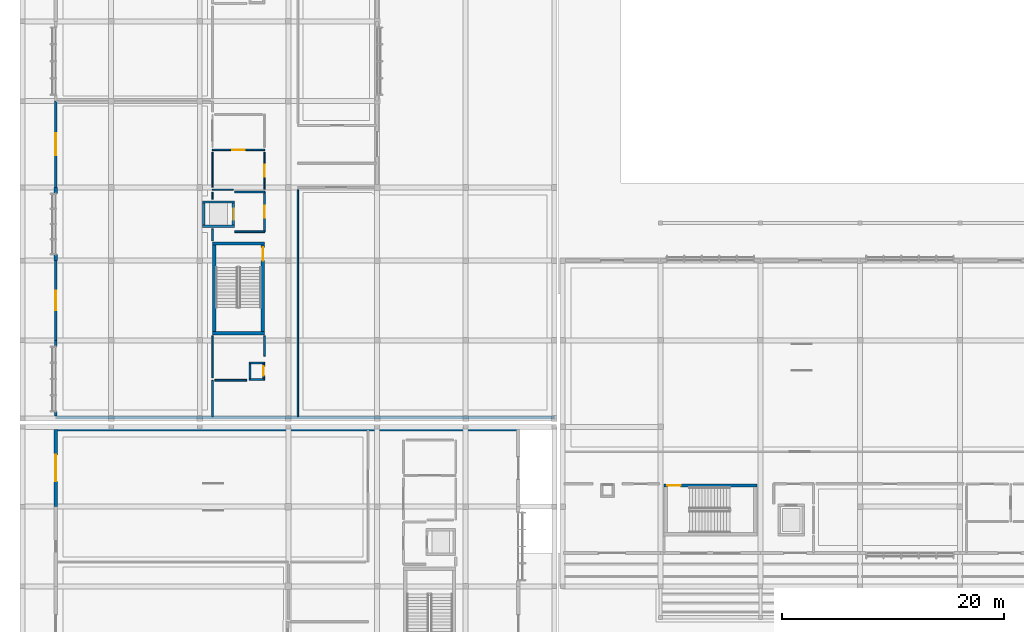
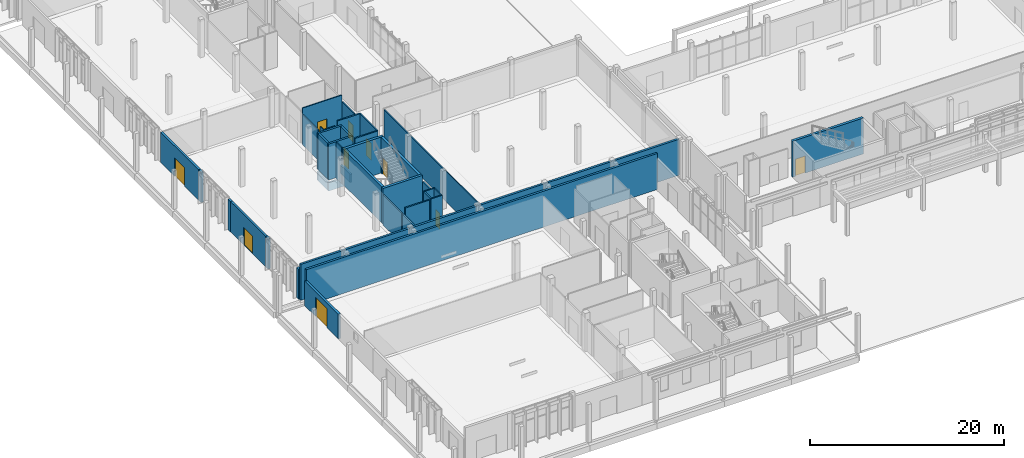
# One storey, part 117 of 151: 40 walls, 10 doors, 10 openings.
"""IFC4 building model written with IfcOpenShell, lengths in metres."""

from ifc_helpers import new_model, si_unit, direction, frame, frame_2d, origin, place, context, subcontext, project, spatial, rectangle, extrude, material, layer, layer_set, type_object, element, fill, save


model = new_model("IFC4")

# Units and contexts
model_context = context("Model", 3, precision=1e-05, world=origin(), true_north=direction((0.0, 1.0)))
body_context = subcontext(model_context, "Body", "Model", "MODEL_VIEW")
ifc_project = project(units=[si_unit("LENGTHUNIT", "METRE"), si_unit("AREAUNIT", "SQUARE_METRE"), si_unit("VOLUMEUNIT", "CUBIC_METRE"), si_unit("PLANEANGLEUNIT", "RADIAN"), si_unit("MASSUNIT", "GRAM", prefix="KILO")], contexts=[model_context])

# Site, building, storey
site_placement = place(None, origin())
site = spatial("IfcSite", under=ifc_project, at=site_placement, CompositionType="ELEMENT")
building_placement = place(site_placement, origin())
building = spatial("IfcBuilding", under=site, at=building_placement, Name="Chiffa Square Polytechnic", CompositionType="ELEMENT")
storey_placement = place(building_placement, origin())
storey = spatial("IfcBuildingStorey", under=building, at=storey_placement, Name="L00", CompositionType="ELEMENT", Elevation=0.0)

# Wall, opening, door
ifc_material_1 = material(Name="Concrete C40/50", Category="concrete")
ifc_layer_1 = layer(ifc_material_1, 0.300048828125, Name="Concrete C40/50")
ifc_layer_set_1 = layer_set([ifc_layer_1], Name="Concrete C40/50")
wall_type_1 = type_object("IfcWallType", Name="WL-CORE-300", PredefinedType="SHEAR", material=ifc_layer_set_1)
wall_1_placement = place(storey_placement, frame((57.89990234375, 30.699951171875, 0.0), z_axis=(0.0, 0.0, 1.0), x_axis=(1.0, 0.0, 0.0)))
wall_1 = element("IfcWall", 1, at=wall_1_placement, inside=storey, type_object=wall_type_1, Name="Core or enclosure wall WC-CORE-V4A-L00-NORTH", PredefinedType="SHEAR", context=body_context, shape_type="SweptSolid", body=[
    extrude(rectangle(XDim=8.400146484375, YDim=0.300048828125, at=frame_2d((4.2001953125, 0.0))), origin(), (0.0, 0.0, 1.0), 4.52001953125),
])
opening_1_placement = place(wall_1_placement, frame((0.300048828125, 0.0, 0.0)))
opening_1 = element("IfcOpeningElement", 2, at=opening_1_placement, cuts=wall_1, Name="Opening DS-L00-027", PredefinedType="OPENING", context=body_context, shape_type="SweptSolid", body=[
    extrude(rectangle(XDim=1.199951171875, YDim=2.14990234375, at=frame_2d((0.60009765625, 1.074951171875))), frame((0.0, 0.16015625, 0.0), z_axis=(0.0, -1.0, 0.0), x_axis=(1.0, 0.0, 0.0)), (0.0, 0.0, 1.0), 0.320068359375),
])
ifc_material_2 = material(Name="Fire-rated painted steel leaf", Category="steel")
door_type_1 = type_object("IfcDoorType", Name="DR-STAIR-1200", OperationType="NOTDEFINED", PredefinedType="DOOR", material=ifc_material_2)
door_1_placement = place(opening_1_placement, origin())
door_1 = element("IfcDoor", 3, at=door_1_placement, inside=storey, type_object=door_type_1, Name="Enclosure door DS-L00-027", OperationType="SINGLE_SWING_LEFT", OverallHeight=2.14990234375, OverallWidth=1.199951171875, PredefinedType="DOOR", context=body_context, shape_type="SweptSolid", body=[
    extrude(rectangle(XDim=1.199951171875, YDim=2.14990234375, at=frame_2d((0.60009765625, 1.074951171875))), frame((0.0, 0.02490234375, 0.0), z_axis=(0.0, -1.0, 0.0), x_axis=(1.0, 0.0, 0.0)), (0.0, 0.0, 1.0), 0.050048828125),
])
fill(opening_1, door_1)

# Walls
for number, where, z_axis, x_axis, name in (
    (4, (17.14990234375, 44.449951171875, 0.0), (0.0, 0.0, 1.0), (1.0, 0.0, 0.0), "Core or enclosure wall WC-CORE-V6A-L00-SOUTH"),
    (5, (17.14990234375, 52.550048828125, 0.0), (0.0, 0.0, 1.0), (1.0, 0.0, 0.0), "Core or enclosure wall WC-CORE-V6A-L00-NORTH"),
):
    element("IfcWall", number, at=place(storey_placement, frame(where, z_axis=z_axis, x_axis=x_axis)), inside=storey, type_object=wall_type_1, Name=name, PredefinedType="SHEAR", context=body_context, shape_type="SweptSolid", body=[
        extrude(rectangle(XDim=4.7001953125, YDim=0.300048828125, at=frame_2d((2.35009765625, 0.0))), origin(), (0.0, 0.0, 1.0), 4.52001953125),
    ])
wall_2_placement = place(storey_placement, frame((17.300048828125, 44.60009765625, 0.0), z_axis=(0.0, 0.0, 1.0), x_axis=(0.0, 1.0, 0.0)))
element("IfcWall", 6, at=wall_2_placement, inside=storey, type_object=wall_type_1, Name="Core or enclosure wall WC-CORE-V6A-L00-WEST", PredefinedType="SHEAR", context=body_context, shape_type="SweptSolid", body=[
    extrude(rectangle(XDim=7.7998046875, YDim=0.300048828125, at=frame_2d((3.89990234375, 0.0))), origin(), (0.0, 0.0, 1.0), 4.52001953125),
])

# Wall, opening, door
wall_3_placement = place(storey_placement, frame((21.699951171875, 44.60009765625, 0.0), z_axis=(0.0, 0.0, 1.0), x_axis=(0.0, 1.0, 0.0)))
wall_3 = element("IfcWall", 7, at=wall_3_placement, inside=storey, type_object=wall_type_1, Name="Core or enclosure wall WC-CORE-V6A-L00-EAST", PredefinedType="SHEAR", context=body_context, shape_type="SweptSolid", body=[
    extrude(rectangle(XDim=7.7998046875, YDim=0.300048828125, at=frame_2d((3.89990234375, 0.0))), origin(), (0.0, 0.0, 1.0), 4.52001953125),
])
opening_2_placement = place(wall_3_placement, frame((6.39990234375, 0.0, 0.0)))
opening_2 = element("IfcOpeningElement", 8, at=opening_2_placement, cuts=wall_3, Name="Opening DS-L00-047", PredefinedType="OPENING", context=body_context, shape_type="SweptSolid", body=[
    extrude(rectangle(XDim=1.199951171875, YDim=2.14990234375, at=frame_2d((0.60009765625, 1.074951171875))), frame((0.0, 0.16015625, 0.0), z_axis=(0.0, -1.0, 0.0), x_axis=(1.0, 0.0, 0.0)), (0.0, 0.0, 1.0), 0.320068359375),
])
door_2_placement = place(opening_2_placement, origin())
door_2 = element("IfcDoor", 9, at=door_2_placement, inside=storey, type_object=door_type_1, Name="Enclosure door DS-L00-047", OperationType="SINGLE_SWING_LEFT", OverallHeight=2.14990234375, OverallWidth=1.199951171875, PredefinedType="DOOR", context=body_context, shape_type="SweptSolid", body=[
    extrude(rectangle(XDim=1.199951171875, YDim=2.14990234375, at=frame_2d((0.60009765625, 1.074951171875))), frame((0.0, 0.02490234375, 0.0), z_axis=(0.0, -1.0, 0.0), x_axis=(1.0, 0.0, 0.0)), (0.0, 0.0, 1.0), 0.050048828125),
])
fill(opening_2, door_2)

ifc_material_3 = material(Name="Precast concrete C40/50", Category="concrete")
ifc_layer_2 = layer(ifc_material_3, 0.239990234375, Name="Precast concrete C40/50")
ifc_layer_set_2 = layer_set([ifc_layer_2], Name="Precast concrete C40/50")
wall_type_2 = type_object("IfcWallType", Name="WL-EXT-PC240", PredefinedType="SOLIDWALL", material=ifc_layer_set_2)
wall_4_placement = place(storey_placement, frame((3.0, 51.0, 0.0), z_axis=(0.0, 0.0, 1.0), x_axis=(0.0, -1.0, 0.0)))
wall_4 = element("IfcWall", 10, at=wall_4_placement, inside=storey, type_object=wall_type_2, Name="Exterior wall WE-V6-L00-0407", PredefinedType="SOLIDWALL", context=body_context, shape_type="SweptSolid", body=[
    extrude(rectangle(XDim=7.199951171875, YDim=0.239990234375, at=frame_2d((3.60009765625, 0.0))), origin(), (0.0, 0.0, 1.0), 3.804931640625),
])
opening_3_placement = place(wall_4_placement, frame((2.699951171875, 0.0, 0.0)))
opening_3 = element("IfcOpeningElement", 11, at=opening_3_placement, cuts=wall_4, Name="Opening DE-L00-073", PredefinedType="OPENING", context=body_context, shape_type="SweptSolid", body=[
    extrude(rectangle(XDim=1.800048828125, YDim=2.199951171875, at=frame_2d((0.89990234375, 1.10009765625))), frame((0.0, 0.1298828125, 0.0), z_axis=(0.0, -1.0, 0.0), x_axis=(1.0, 0.0, 0.0)), (0.0, 0.0, 1.0), 0.260009765625),
])
ifc_material_4 = material(Name="Painted galvanized steel", Category="steel")
door_type_2 = type_object("IfcDoorType", Name="DR-EXIT-DBL-1800", OperationType="DOUBLE_DOOR_SINGLE_SWING", PredefinedType="DOOR", material=ifc_material_4)
door_3_placement = place(opening_3_placement, origin())
door_3 = element("IfcDoor", 12, at=door_3_placement, inside=storey, type_object=door_type_2, Name="Exterior door DE-L00-073", OperationType="DOUBLE_DOOR_SINGLE_SWING", OverallHeight=2.199951171875, OverallWidth=1.800048828125, PredefinedType="DOOR", context=body_context, shape_type="SweptSolid", body=[
    extrude(rectangle(XDim=1.800048828125, YDim=2.199951171875, at=frame_2d((0.89990234375, 1.10009765625))), frame((0.0, 0.02490234375, 0.0), z_axis=(0.0, -1.0, 0.0), x_axis=(1.0, 0.0, 0.0)), (0.0, 0.0, 1.0), 0.050048828125),
])
fill(opening_3, door_3)

ifc_layer_3 = layer(ifc_material_3, 0.260009765625, Name="Precast concrete C40/50")
ifc_layer_set_3 = layer_set([ifc_layer_3], Name="Precast concrete C40/50")
wall_type_3 = type_object("IfcWallType", Name="WL-EXT-PC260", PredefinedType="SOLIDWALL", material=ifc_layer_set_3)
wall_5_placement = place(storey_placement, frame((3.0, 65.39990234375, 0.0), z_axis=(0.0, 0.0, 1.0), x_axis=(0.0, -1.0, 0.0)))
wall_5 = element("IfcWall", 13, at=wall_5_placement, inside=storey, type_object=wall_type_3, Name="Exterior wall WE-V6-L00-0405", PredefinedType="SOLIDWALL", context=body_context, shape_type="SweptSolid", body=[
    extrude(rectangle(XDim=7.7998046875, YDim=0.260009765625, at=frame_2d((3.89990234375, 0.0))), origin(), (0.0, 0.0, 1.0), 3.804931640625),
])
opening_4_placement = place(wall_5_placement, frame((2.89990234375, 0.0, 0.0)))
opening_4 = element("IfcOpeningElement", 14, at=opening_4_placement, cuts=wall_5, Name="Opening DE-L00-072", PredefinedType="OPENING", context=body_context, shape_type="SweptSolid", body=[
    extrude(rectangle(XDim=2.0, YDim=2.300048828125, at=frame_2d((1.0, 1.14990234375))), frame((0.0, 0.14013671875, 0.0), z_axis=(0.0, -1.0, 0.0), x_axis=(1.0, 0.0, 0.0)), (0.0, 0.0, 1.0), 0.280029296875),
])
ifc_material_5 = material(Name="Aluminium and laminated safety glass", Category="aluminium")
door_type_3 = type_object("IfcDoorType", Name="DR-EXIT-DBL-2000", OperationType="DOUBLE_DOOR_SINGLE_SWING", PredefinedType="DOOR", material=ifc_material_5)
door_4_placement = place(opening_4_placement, origin())
door_4 = element("IfcDoor", 15, at=door_4_placement, inside=storey, type_object=door_type_3, Name="Exterior door DE-L00-072", OperationType="DOUBLE_DOOR_SINGLE_SWING", OverallHeight=2.300048828125, OverallWidth=2.0, PredefinedType="DOOR", context=body_context, shape_type="SweptSolid", body=[
    extrude(rectangle(XDim=2.0, YDim=2.300048828125, at=frame_2d((1.0, 1.14990234375))), frame((0.0, 0.02490234375, 0.0), z_axis=(0.0, -1.0, 0.0), x_axis=(1.0, 0.0, 0.0)), (0.0, 0.0, 1.0), 0.050048828125),
])
fill(opening_4, door_4)

# Walls
wall_6_placement = place(storey_placement, frame((3.0, 43.800048828125, 0.0), z_axis=(0.0, 0.0, 1.0), x_axis=(0.0, -1.0, 0.0)))
element("IfcWall", 16, at=wall_6_placement, inside=storey, type_object=wall_type_3, Name="Facade column pier V6-L00-0408L", PredefinedType="SOLIDWALL", context=body_context, shape_type="SweptSolid", body=[
    extrude(rectangle(XDim=0.5400390625, YDim=0.260009765625, at=frame_2d((0.27001953125, 0.0))), origin(), (0.0, 0.0, 1.0), 3.804931640625),
])
wall_7_placement = place(storey_placement, frame((3.0, 37.389892578125, 0.0), z_axis=(0.0, 0.0, 1.0), x_axis=(0.0, -1.0, 0.0)))
element("IfcWall", 17, at=wall_7_placement, inside=storey, type_object=wall_type_3, Name="Facade column pier V6-L00-0408R", PredefinedType="SOLIDWALL", context=body_context, shape_type="SweptSolid", body=[
    extrude(rectangle(XDim=0.412841796875, YDim=0.260009765625, at=frame_2d((0.20654296875, 0.0))), origin(), (0.0, 0.0, 1.0), 3.804931640625),
])

# Wall, opening, door
ifc_layer_4 = layer(ifc_material_3, 0.280029296875, Name="Precast concrete C40/50")
ifc_layer_set_4 = layer_set([ifc_layer_4], Name="Precast concrete C40/50")
wall_type_4 = type_object("IfcWallType", Name="WL-EXT-PC280", PredefinedType="SOLIDWALL", material=ifc_layer_set_4)
wall_8_placement = place(storey_placement, frame((3.0, 35.75, 0.0), z_axis=(0.0, 0.0, 1.0), x_axis=(0.0, -1.0, 0.0)))
wall_8 = element("IfcWall", 18, at=wall_8_placement, inside=storey, type_object=wall_type_4, Name="Exterior wall WE-V3-L00-0143", PredefinedType="SOLIDWALL", context=body_context, shape_type="SweptSolid", body=[
    extrude(rectangle(XDim=6.949951171875, YDim=0.280029296875, at=frame_2d((3.47509765625, 0.0))), origin(), (0.0, 0.0, 1.0), 3.10498046875),
])
opening_5_placement = place(wall_8_placement, frame((2.27490234375, 0.0, 0.0)))
opening_5 = element("IfcOpeningElement", 19, at=opening_5_placement, cuts=wall_8, Name="Opening DE-L00-026", PredefinedType="OPENING", context=body_context, shape_type="SweptSolid", body=[
    extrude(rectangle(XDim=2.39990234375, YDim=2.39990234375, at=frame_2d((1.199951171875, 1.199951171875))), frame((0.0, 0.14990234375, 0.0), z_axis=(0.0, -1.0, 0.0), x_axis=(1.0, 0.0, 0.0)), (0.0, 0.0, 1.0), 0.300048828125),
])
door_type_4 = type_object("IfcDoorType", Name="DR-EXIT-DBL-2400", OperationType="DOUBLE_DOOR_SINGLE_SWING", PredefinedType="DOOR", material=ifc_material_5)
door_5_placement = place(opening_5_placement, origin())
door_5 = element("IfcDoor", 20, at=door_5_placement, inside=storey, type_object=door_type_4, Name="Exterior door DE-L00-026", OperationType="DOUBLE_DOOR_SINGLE_SWING", OverallHeight=2.39990234375, OverallWidth=2.39990234375, PredefinedType="DOOR", context=body_context, shape_type="SweptSolid", body=[
    extrude(rectangle(XDim=2.39990234375, YDim=2.39990234375, at=frame_2d((1.199951171875, 1.199951171875))), frame((0.0, 0.02490234375, 0.0), z_axis=(0.0, -1.0, 0.0), x_axis=(1.0, 0.0, 0.0)), (0.0, 0.0, 1.0), 0.050048828125),
])
fill(opening_5, door_5)

# Walls
for number, where, z_axis, x_axis, name in (
    (21, (3.0, 57.60009765625, 0.0), (0.0, 0.0, 1.0), (0.0, -1.0, 0.0), "Facade column pier V6-L00-0406L"),
    (22, (3.0, 51.5400390625, 0.0), (0.0, 0.0, 1.0), (0.0, -1.0, 0.0), "Facade column pier V6-L00-0406R"),
):
    element("IfcWall", number, at=place(storey_placement, frame(where, z_axis=z_axis, x_axis=x_axis)), inside=storey, type_object=wall_type_4, Name=name, PredefinedType="SOLIDWALL", context=body_context, shape_type="SweptSolid", body=[
        extrude(rectangle(XDim=0.5400390625, YDim=0.280029296875, at=frame_2d((0.27001953125, 0.0))), origin(), (0.0, 0.0, 1.0), 3.804931640625),
    ])
ifc_material_6 = material(Name="Gypsum board on steel stud", Category="steel")
ifc_layer_5 = layer(ifc_material_6, 0.125, Name="Gypsum board on steel stud")
ifc_layer_set_5 = layer_set([ifc_layer_5], Name="Gypsum board on steel stud")
wall_type_5 = type_object("IfcWallType", Name="WL-PART-125", PredefinedType="PARTITIONING", material=ifc_layer_set_5)
wall_9_placement = place(storey_placement, frame((17.14990234375, 56.530029296875, 0.0), z_axis=(0.0, 0.0, 1.0), x_axis=(0.0, 1.0, 0.0)))
element("IfcWall", 23, at=wall_9_placement, inside=storey, type_object=wall_type_5, Name="Interior partition WP-V6-L00-0179", PredefinedType="PARTITIONING", context=body_context, shape_type="SweptSolid", body=[
    extrude(rectangle(XDim=0.64990234375, YDim=0.125, at=frame_2d((0.324951171875, 0.0))), origin(), (0.0, 0.0, 1.0), 4.52001953125),
])
wall_10_placement = place(storey_placement, frame((24.85009765625, 36.905029296875, 0.0), z_axis=(0.0, 0.0, 1.0), x_axis=(0.0, 1.0, 0.0)))
element("IfcWall", 24, at=wall_10_placement, inside=storey, type_object=wall_type_5, Name="Interior partition WP-V6-L00-0188", PredefinedType="PARTITIONING", context=body_context, shape_type="SweptSolid", body=[
    extrude(rectangle(XDim=20.474853515625, YDim=0.125, at=frame_2d((10.2373046875, 0.0))), origin(), (0.0, 0.0, 1.0), 3.804931640625),
])
ifc_layer_6 = layer(ifc_material_6, 0.135009765625, Name="Gypsum board on steel stud")
ifc_layer_set_6 = layer_set([ifc_layer_6], Name="Gypsum board on steel stud")
wall_type_6 = type_object("IfcWallType", Name="WL-PART-135", PredefinedType="PARTITIONING", material=ifc_layer_set_6)
wall_11_placement = place(storey_placement, frame((17.14990234375, 40.419921875, 0.0), z_axis=(0.0, 0.0, 1.0), x_axis=(0.0, 1.0, 0.0)))
element("IfcWall", 25, at=wall_11_placement, inside=storey, type_object=wall_type_6, Name="Interior partition WP-V6-L00-0181", PredefinedType="PARTITIONING", context=body_context, shape_type="SweptSolid", body=[
    extrude(rectangle(XDim=3.7900390625, YDim=0.135009765625, at=frame_2d((1.89501953125, 0.0))), origin(), (0.0, 0.0, 1.0), 3.804931640625),
])
ifc_layer_7 = layer(ifc_material_6, 0.14501953125, Name="Gypsum board on steel stud")
ifc_layer_set_7 = layer_set([ifc_layer_7], Name="Gypsum board on steel stud")
wall_type_7 = type_object("IfcWallType", Name="WL-PART-145", PredefinedType="PARTITIONING", material=ifc_layer_set_7)
wall_12_placement = place(storey_placement, frame((17.14990234375, 52.7900390625, 0.0), z_axis=(0.0, 0.0, 1.0), x_axis=(0.0, 1.0, 0.0)))
element("IfcWall", 26, at=wall_12_placement, inside=storey, type_object=wall_type_7, Name="Interior partition WP-V6-L00-0180", PredefinedType="PARTITIONING", context=body_context, shape_type="SweptSolid", body=[
    extrude(rectangle(XDim=1.080078125, YDim=0.14501953125, at=frame_2d((0.5400390625, 0.0))), origin(), (0.0, 0.0, 1.0), 4.52001953125),
])
ifc_material_7 = material(Name="Gypsum board on acoustic steel stud", Category="steel")
ifc_layer_8 = layer(ifc_material_7, 0.159912109375, Name="Gypsum board on acoustic steel stud")
ifc_layer_set_8 = layer_set([ifc_layer_8], Name="Gypsum board on acoustic steel stud")
wall_type_8 = type_object("IfcWallType", Name="WL-PART-EI60-160", PredefinedType="PARTITIONING", material=ifc_layer_set_8)
for number, where, z_axis, x_axis, name in (
    (27, (20.449951171875, 40.280029296875, 0.0), (0.0, 0.0, 1.0), (1.0, 0.0, 0.0), "Core or enclosure wall WP-RSR-V6-S-L00-SOUTH"),
    (28, (20.449951171875, 41.77001953125, 0.0), (0.0, 0.0, 1.0), (1.0, 0.0, 0.0), "Core or enclosure wall WP-RSR-V6-S-L00-NORTH"),
):
    element("IfcWall", number, at=place(storey_placement, frame(where, z_axis=z_axis, x_axis=x_axis)), inside=storey, type_object=wall_type_8, Name=name, PredefinedType="PARTITIONING", context=body_context, shape_type="SweptSolid", body=[
        extrude(rectangle(XDim=1.400146484375, YDim=0.159912109375, at=frame_2d((0.7001953125, 0.0))), origin(), (0.0, 0.0, 1.0), 4.52001953125),
    ])
wall_13_placement = place(storey_placement, frame((20.530029296875, 40.360107421875, 0.0), z_axis=(0.0, 0.0, 1.0), x_axis=(0.0, 1.0, 0.0)))
element("IfcWall", 29, at=wall_13_placement, inside=storey, type_object=wall_type_8, Name="Core or enclosure wall WP-RSR-V6-S-L00-WEST", PredefinedType="PARTITIONING", context=body_context, shape_type="SweptSolid", body=[
    extrude(rectangle(XDim=1.329833984375, YDim=0.159912109375, at=frame_2d((0.6650390625, 0.0))), origin(), (0.0, 0.0, 1.0), 4.52001953125),
])

# Wall, opening, door
wall_14_placement = place(storey_placement, frame((21.77001953125, 40.360107421875, 0.0), z_axis=(0.0, 0.0, 1.0), x_axis=(0.0, 1.0, 0.0)))
wall_14 = element("IfcWall", 30, at=wall_14_placement, inside=storey, type_object=wall_type_8, Name="Core or enclosure wall WP-RSR-V6-S-L00-EAST", PredefinedType="PARTITIONING", context=body_context, shape_type="SweptSolid", body=[
    extrude(rectangle(XDim=1.329833984375, YDim=0.159912109375, at=frame_2d((0.6650390625, 0.0))), origin(), (0.0, 0.0, 1.0), 4.52001953125),
])
opening_6_placement = place(wall_14_placement, frame((0.239990234375, 0.0, 0.0)))
opening_6 = element("IfcOpeningElement", 31, at=opening_6_placement, cuts=wall_14, Name="Opening DI-L00-R18", PredefinedType="OPENING", context=body_context, shape_type="SweptSolid", body=[
    extrude(rectangle(XDim=0.85009765625, YDim=2.02001953125, at=frame_2d((0.425048828125, 1.010009765625))), frame((0.0, 0.08984375, 0.0), z_axis=(0.0, -1.0, 0.0), x_axis=(1.0, 0.0, 0.0)), (0.0, 0.0, 1.0), 0.179931640625),
])
ifc_material_8 = material(Name="Fire-rated steel riser access door", Category="steel")
door_type_5 = type_object("IfcDoorType", Name="DR-RISER-850", OperationType="NOTDEFINED", PredefinedType="DOOR", material=ifc_material_8)
door_6_placement = place(opening_6_placement, origin())
door_6 = element("IfcDoor", 32, at=door_6_placement, inside=storey, type_object=door_type_5, Name="Enclosure door DI-L00-R18", OperationType="SINGLE_SWING_RIGHT", OverallHeight=2.02001953125, OverallWidth=0.85009765625, PredefinedType="DOOR", context=body_context, shape_type="SweptSolid", body=[
    extrude(rectangle(XDim=0.85009765625, YDim=2.02001953125, at=frame_2d((0.425048828125, 1.010009765625))), frame((0.0, 0.02490234375, 0.0), z_axis=(0.0, -1.0, 0.0), x_axis=(1.0, 0.0, 0.0)), (0.0, 0.0, 1.0), 0.050048828125),
])
fill(opening_6, door_6)

# Walls
for number, where, z_axis, x_axis, name in (
    (33, (19.14990234375, 53.60009765625, 0.0), (0.0, 0.0, 1.0), (1.0, 0.0, 0.0), "Lift lobby rated enclosure WP-LOB-LP-V6A-L00-SOUTH"),
    (34, (19.14990234375, 57.199951171875, 0.0), (0.0, 0.0, 1.0), (1.0, 0.0, 0.0), "Lift lobby rated enclosure WP-LOB-LP-V6A-L00-NORTH"),
):
    element("IfcWall", number, at=place(storey_placement, frame(where, z_axis=z_axis, x_axis=x_axis)), inside=storey, type_object=wall_type_8, Name=name, PredefinedType="PARTITIONING", context=body_context, shape_type="SweptSolid", body=[
        extrude(rectangle(XDim=2.7001953125, YDim=0.159912109375, at=frame_2d((1.35009765625, 0.0))), origin(), (0.0, 0.0, 1.0), 4.52001953125),
    ])

# Wall, opening, door
wall_15_placement = place(storey_placement, frame((21.85009765625, 53.60009765625, 0.0), z_axis=(0.0, 0.0, 1.0), x_axis=(0.0, 1.0, 0.0)))
wall_15 = element("IfcWall", 35, at=wall_15_placement, inside=storey, type_object=wall_type_8, Name="Lift lobby rated enclosure WP-LOB-LP-V6A-L00-EAST", PredefinedType="PARTITIONING", context=body_context, shape_type="SweptSolid", body=[
    extrude(rectangle(XDim=3.599853515625, YDim=0.159912109375, at=frame_2d((1.7998046875, 0.0))), origin(), (0.0, 0.0, 1.0), 4.52001953125),
])
opening_7_placement = place(wall_15_placement, frame((1.25, 0.0, 0.0)))
opening_7 = element("IfcOpeningElement", 36, at=opening_7_placement, cuts=wall_15, Name="Opening DI-L00-044", PredefinedType="OPENING", context=body_context, shape_type="SweptSolid", body=[
    extrude(rectangle(XDim=1.10009765625, YDim=2.14990234375, at=frame_2d((0.550048828125, 1.074951171875))), frame((0.0, 0.08984375, 0.0), z_axis=(0.0, -1.0, 0.0), x_axis=(1.0, 0.0, 0.0)), (0.0, 0.0, 1.0), 0.179931640625),
])
ifc_material_9 = material(Name="Solid core ash veneer door")
door_type_6 = type_object("IfcDoorType", Name="DR-INT-1100", OperationType="NOTDEFINED", PredefinedType="DOOR", material=ifc_material_9)
door_7_placement = place(opening_7_placement, origin())
door_7 = element("IfcDoor", 37, at=door_7_placement, inside=storey, type_object=door_type_6, Name="Lift lobby fire door DI-L00-044", OperationType="SINGLE_SWING_LEFT", OverallHeight=2.14990234375, OverallWidth=1.10009765625, PredefinedType="DOOR", context=body_context, shape_type="SweptSolid", body=[
    extrude(rectangle(XDim=1.10009765625, YDim=2.14990234375, at=frame_2d((0.550048828125, 1.074951171875))), frame((0.0, 0.02490234375, 0.0), z_axis=(0.0, -1.0, 0.0), x_axis=(1.0, 0.0, 0.0)), (0.0, 0.0, 1.0), 0.050048828125),
])
fill(opening_7, door_7)

# Walls
wall_16_placement = place(storey_placement, frame((17.14990234375, 36.905029296875, 0.0), z_axis=(0.0, 0.0, 1.0), x_axis=(0.0, 1.0, 0.0)))
element("IfcWall", 38, at=wall_16_placement, inside=storey, type_object=wall_type_8, Name="Interior partition WP-V6-L00-0158", PredefinedType="PARTITIONING", context=body_context, shape_type="SweptSolid", body=[
    extrude(rectangle(XDim=3.294921875, YDim=0.159912109375, at=frame_2d((1.6474609375, 0.0))), origin(), (0.0, 0.0, 1.0), 3.804931640625),
])
wall_17_placement = place(storey_placement, frame((21.85009765625, 42.37109375, 0.0), z_axis=(0.0, 0.0, 1.0), x_axis=(0.0, 1.0, 0.0)))
element("IfcWall", 39, at=wall_17_placement, inside=storey, type_object=wall_type_8, Name="Interior partition WP-V6-L00-0218", PredefinedType="PARTITIONING", context=body_context, shape_type="SweptSolid", body=[
    extrude(rectangle(XDim=1.8388671875, YDim=0.159912109375, at=frame_2d((0.91943359375, 0.0))), origin(), (0.0, 0.0, 1.0), 3.804931640625),
])
wall_18_placement = place(storey_placement, frame((17.3701171875, 40.199951171875, 0.0), z_axis=(0.0, 0.0, 1.0), x_axis=(1.0, 0.0, 0.0)))
element("IfcWall", 40, at=wall_18_placement, inside=storey, type_object=wall_type_8, Name="Interior partition WP-V6-L00-0222", PredefinedType="PARTITIONING", context=body_context, shape_type="SweptSolid", body=[
    extrude(rectangle(XDim=2.85400390625, YDim=0.159912109375, at=frame_2d((1.427001953125, 0.0))), origin(), (0.0, 0.0, 1.0), 4.52001953125),
])

# Wall, opening, door
ifc_material_10 = material(Name="Moisture-resistant board partition")
ifc_layer_9 = layer(ifc_material_10, 0.1201171875, Name="Moisture-resistant board partition")
ifc_layer_set_9 = layer_set([ifc_layer_9], Name="Moisture-resistant board partition")
wall_type_9 = type_object("IfcWallType", Name="WL-PART-WC-120", PredefinedType="PARTITIONING", material=ifc_layer_set_9)
wall_19_placement = place(storey_placement, frame((17.14990234375, 61.0, 0.0), z_axis=(0.0, 0.0, 1.0), x_axis=(1.0, 0.0, 0.0)))
wall_19 = element("IfcWall", 41, at=wall_19_placement, inside=storey, type_object=wall_type_9, Name="Interior partition WP-V6-L00-0095", PredefinedType="PARTITIONING", context=body_context, shape_type="SweptSolid", body=[
    extrude(rectangle(XDim=4.7001953125, YDim=0.1201171875, at=frame_2d((2.35009765625, 0.0))), origin(), (0.0, 0.0, 1.0), 4.52001953125),
])
opening_8_placement = place(wall_19_placement, frame((1.800048828125, 0.0, 0.0)))
opening_8 = element("IfcOpeningElement", 42, at=opening_8_placement, cuts=wall_19, Name="Opening DI-L00-073", PredefinedType="OPENING", context=body_context, shape_type="SweptSolid", body=[
    extrude(rectangle(XDim=1.10009765625, YDim=2.14990234375, at=frame_2d((0.550048828125, 1.074951171875))), frame((0.0, 0.070068359375, 0.0), z_axis=(0.0, -1.0, 0.0), x_axis=(1.0, 0.0, 0.0)), (0.0, 0.0, 1.0), 0.14013671875),
])
door_8_placement = place(opening_8_placement, origin())
door_8 = element("IfcDoor", 43, at=door_8_placement, inside=storey, type_object=door_type_6, Name="Interior room door DI-L00-073", OperationType="SINGLE_SWING_LEFT", OverallHeight=2.14990234375, OverallWidth=1.10009765625, PredefinedType="DOOR", context=body_context, shape_type="SweptSolid", body=[
    extrude(rectangle(XDim=1.10009765625, YDim=2.14990234375, at=frame_2d((0.550048828125, 1.074951171875))), frame((0.0, 0.02490234375, 0.0), z_axis=(0.0, -1.0, 0.0), x_axis=(1.0, 0.0, 0.0)), (0.0, 0.0, 1.0), 0.050048828125),
])
fill(opening_8, door_8)

wall_20_placement = place(storey_placement, frame((21.85009765625, 57.43994140625, 0.0), z_axis=(0.0, 0.0, 1.0), x_axis=(0.0, 1.0, 0.0)))
wall_20 = element("IfcWall", 44, at=wall_20_placement, inside=storey, type_object=wall_type_9, Name="Interior partition WP-V6-L00-0099", PredefinedType="PARTITIONING", context=body_context, shape_type="SweptSolid", body=[
    extrude(rectangle(XDim=3.340087890625, YDim=0.1201171875, at=frame_2d((1.669921875, 0.0))), origin(), (0.0, 0.0, 1.0), 3.804931640625),
])
opening_9_placement = place(wall_20_placement, frame((1.1201171875, 0.0, 0.0)))
opening_9 = element("IfcOpeningElement", 45, at=opening_9_placement, cuts=wall_20, Name="Opening DI-L00-075", PredefinedType="OPENING", context=body_context, shape_type="SweptSolid", body=[
    extrude(rectangle(XDim=1.10009765625, YDim=2.14990234375, at=frame_2d((0.550048828125, 1.074951171875))), frame((0.0, 0.070068359375, 0.0), z_axis=(0.0, -1.0, 0.0), x_axis=(1.0, 0.0, 0.0)), (0.0, 0.0, 1.0), 0.14013671875),
])
door_9_placement = place(opening_9_placement, origin())
door_9 = element("IfcDoor", 46, at=door_9_placement, inside=storey, type_object=door_type_6, Name="Interior room door DI-L00-075", OperationType="SINGLE_SWING_RIGHT", OverallHeight=2.14990234375, OverallWidth=1.10009765625, PredefinedType="DOOR", context=body_context, shape_type="SweptSolid", body=[
    extrude(rectangle(XDim=1.10009765625, YDim=2.14990234375, at=frame_2d((0.550048828125, 1.074951171875))), frame((0.0, 0.02490234375, 0.0), z_axis=(0.0, -1.0, 0.0), x_axis=(1.0, 0.0, 0.0)), (0.0, 0.0, 1.0), 0.050048828125),
])
fill(opening_9, door_9)

# Walls
wall_21_placement = place(storey_placement, frame((17.14990234375, 57.39990234375, 0.0), z_axis=(0.0, 0.0, 1.0), x_axis=(1.0, 0.0, 0.0)))
element("IfcWall", 47, at=wall_21_placement, inside=storey, type_object=wall_type_9, Name="Interior partition WP-V6-L00-0100", PredefinedType="PARTITIONING", context=body_context, shape_type="SweptSolid", body=[
    extrude(rectangle(XDim=1.8671875, YDim=0.1201171875, at=frame_2d((0.93359375, 0.0))), origin(), (0.0, 0.0, 1.0), 3.804931640625),
])
wall_22_placement = place(storey_placement, frame((17.14990234375, 57.6201171875, 0.0), z_axis=(0.0, 0.0, 1.0), x_axis=(0.0, 1.0, 0.0)))
element("IfcWall", 48, at=wall_22_placement, inside=storey, type_object=wall_type_9, Name="Interior partition WP-V6-L00-0101", PredefinedType="PARTITIONING", context=body_context, shape_type="SweptSolid", body=[
    extrude(rectangle(XDim=3.159912109375, YDim=0.1201171875, at=frame_2d((1.580078125, 0.0))), origin(), (0.0, 0.0, 1.0), 3.804931640625),
])
ifc_material_11 = material(Name="Concrete C35/45", Category="concrete")
ifc_layer_10 = layer(ifc_material_11, 0.219970703125, Name="Concrete C35/45")
ifc_layer_set_10 = layer_set([ifc_layer_10], Name="Concrete C35/45")
wall_type_10 = type_object("IfcWallType", Name="WL-SHAFT-220", PredefinedType="SHEAR", material=ifc_layer_set_10)
for number, where, z_axis, x_axis, name in (
    (49, (16.25, 54.110107421875, -1.39990234375), (0.0, 0.0, 1.0), (1.0, 0.0, 0.0), "Core or enclosure wall WS-PIT-LP-V6A-L00-SOUTH"),
    (50, (16.25, 56.2900390625, -1.39990234375), (0.0, 0.0, 1.0), (1.0, 0.0, 0.0), "Core or enclosure wall WS-PIT-LP-V6A-L00-NORTH"),
):
    element("IfcWall", number, at=place(storey_placement, frame(where, z_axis=z_axis, x_axis=x_axis)), inside=storey, type_object=wall_type_10, Name=name, PredefinedType="SHEAR", context=body_context, shape_type="SweptSolid", body=[
        extrude(rectangle(XDim=2.89990234375, YDim=0.219970703125, at=frame_2d((1.449951171875, 0.0))), origin(), (0.0, 0.0, 1.0), 1.0498046875),
    ])
for number, where, z_axis, x_axis, name in (
    (51, (16.360107421875, 54.219970703125, -1.39990234375), (0.0, 0.0, 1.0), (0.0, 1.0, 0.0), "Core or enclosure wall WS-PIT-LP-V6A-L00-WEST"),
    (52, (19.0400390625, 54.219970703125, -1.39990234375), (0.0, 0.0, 1.0), (0.0, 1.0, 0.0), "Core or enclosure wall WS-PIT-LP-V6A-L00-EAST"),
):
    element("IfcWall", number, at=place(storey_placement, frame(where, z_axis=z_axis, x_axis=x_axis)), inside=storey, type_object=wall_type_10, Name=name, PredefinedType="SHEAR", context=body_context, shape_type="SweptSolid", body=[
        extrude(rectangle(XDim=1.9599609375, YDim=0.219970703125, at=frame_2d((0.97998046875, 0.0))), origin(), (0.0, 0.0, 1.0), 1.0498046875),
    ])
for number, where, z_axis, x_axis, name in (
    (53, (16.25, 54.110107421875, 0.0), (0.0, 0.0, 1.0), (1.0, 0.0, 0.0), "Core or enclosure wall WS-LP-V6A-L00-SOUTH"),
    (54, (16.25, 56.2900390625, 0.0), (0.0, 0.0, 1.0), (1.0, 0.0, 0.0), "Core or enclosure wall WS-LP-V6A-L00-NORTH"),
):
    element("IfcWall", number, at=place(storey_placement, frame(where, z_axis=z_axis, x_axis=x_axis)), inside=storey, type_object=wall_type_10, Name=name, PredefinedType="SHEAR", context=body_context, shape_type="SweptSolid", body=[
        extrude(rectangle(XDim=2.89990234375, YDim=0.219970703125, at=frame_2d((1.449951171875, 0.0))), origin(), (0.0, 0.0, 1.0), 4.52001953125),
    ])
wall_23_placement = place(storey_placement, frame((16.360107421875, 54.219970703125, 0.0), z_axis=(0.0, 0.0, 1.0), x_axis=(0.0, 1.0, 0.0)))
element("IfcWall", 55, at=wall_23_placement, inside=storey, type_object=wall_type_10, Name="Core or enclosure wall WS-LP-V6A-L00-WEST", PredefinedType="SHEAR", context=body_context, shape_type="SweptSolid", body=[
    extrude(rectangle(XDim=1.9599609375, YDim=0.219970703125, at=frame_2d((0.97998046875, 0.0))), origin(), (0.0, 0.0, 1.0), 4.52001953125),
])

# Wall, opening, door
wall_24_placement = place(storey_placement, frame((19.0400390625, 54.219970703125, 0.0), z_axis=(0.0, 0.0, 1.0), x_axis=(0.0, 1.0, 0.0)))
wall_24 = element("IfcWall", 56, at=wall_24_placement, inside=storey, type_object=wall_type_10, Name="Core or enclosure wall WS-LP-V6A-L00-EAST", PredefinedType="SHEAR", context=body_context, shape_type="SweptSolid", body=[
    extrude(rectangle(XDim=1.9599609375, YDim=0.219970703125, at=frame_2d((0.97998046875, 0.0))), origin(), (0.0, 0.0, 1.0), 4.52001953125),
])
opening_10_placement = place(wall_24_placement, frame((0.47998046875, 0.0, 0.0)))
opening_10 = element("IfcOpeningElement", 57, at=opening_10_placement, cuts=wall_24, Name="Opening LD-LP-V6A-L00", PredefinedType="OPENING", context=body_context, shape_type="SweptSolid", body=[
    extrude(rectangle(XDim=1.0, YDim=2.14990234375, at=frame_2d((0.5, 1.074951171875))), frame((0.0, 0.1201171875, 0.0), z_axis=(0.0, -1.0, 0.0), x_axis=(1.0, 0.0, 0.0)), (0.0, 0.0, 1.0), 0.239990234375),
])
ifc_material_12 = material(Name="Brushed stainless steel sliding landing door", Category="steel")
door_type_7 = type_object("IfcDoorType", Name="DR-LIFT-1000", OperationType="SLIDING_TO_RIGHT", PredefinedType="DOOR", material=ifc_material_12)
door_10_placement = place(opening_10_placement, origin())
door_10 = element("IfcDoor", 58, at=door_10_placement, inside=storey, type_object=door_type_7, Name="Enclosure door LD-LP-V6A-L00", OperationType="SLIDING_TO_LEFT", OverallHeight=2.14990234375, OverallWidth=1.0, PredefinedType="DOOR", context=body_context, shape_type="SweptSolid", body=[
    extrude(rectangle(XDim=1.0, YDim=2.14990234375, at=frame_2d((0.5, 1.074951171875))), frame((0.0, 0.02490234375, 0.0), z_axis=(0.0, -1.0, 0.0), x_axis=(1.0, 0.0, 0.0)), (0.0, 0.0, 1.0), 0.050048828125),
])
fill(opening_10, door_10)

# Walls
ifc_layer_11 = layer(ifc_material_11, 0.25, Name="Concrete C35/45")
ifc_layer_set_11 = layer_set([ifc_layer_11], Name="Concrete C35/45")
wall_type_11 = type_object("IfcWallType", Name="WL-SJ-250", PredefinedType="SHEAR", material=ifc_layer_set_11)
wall_25_placement = place(storey_placement, frame((44.75, 35.75, 0.0), z_axis=(0.0, 0.0, 1.0), x_axis=(-1.0, 0.0, 0.0)))
element("IfcWall", 59, at=wall_25_placement, inside=storey, type_object=wall_type_11, Name="Seismic-joint fire wall WE-V3-L00-0142", PredefinedType="SHEAR", context=body_context, shape_type="SweptSolid", body=[
    extrude(rectangle(XDim=41.75, YDim=0.25, at=frame_2d((20.875, 0.0))), origin(), (0.0, 0.0, 1.0), 4.52001953125),
])
wall_26_placement = place(storey_placement, frame((3.0, 36.85009765625, 0.0), z_axis=(0.0, 0.0, 1.0), x_axis=(1.0, 0.0, 0.0)))
element("IfcWall", 60, at=wall_26_placement, inside=storey, type_object=wall_type_11, Name="Seismic-joint fire wall WE-V6-L00-0390", PredefinedType="SHEAR", context=body_context, shape_type="SweptSolid", body=[
    extrude(rectangle(XDim=45.0, YDim=0.25, at=frame_2d((22.5, 0.0))), origin(), (0.0, 0.0, 1.0), 4.52001953125),
])

save(model, "model.ifc")
